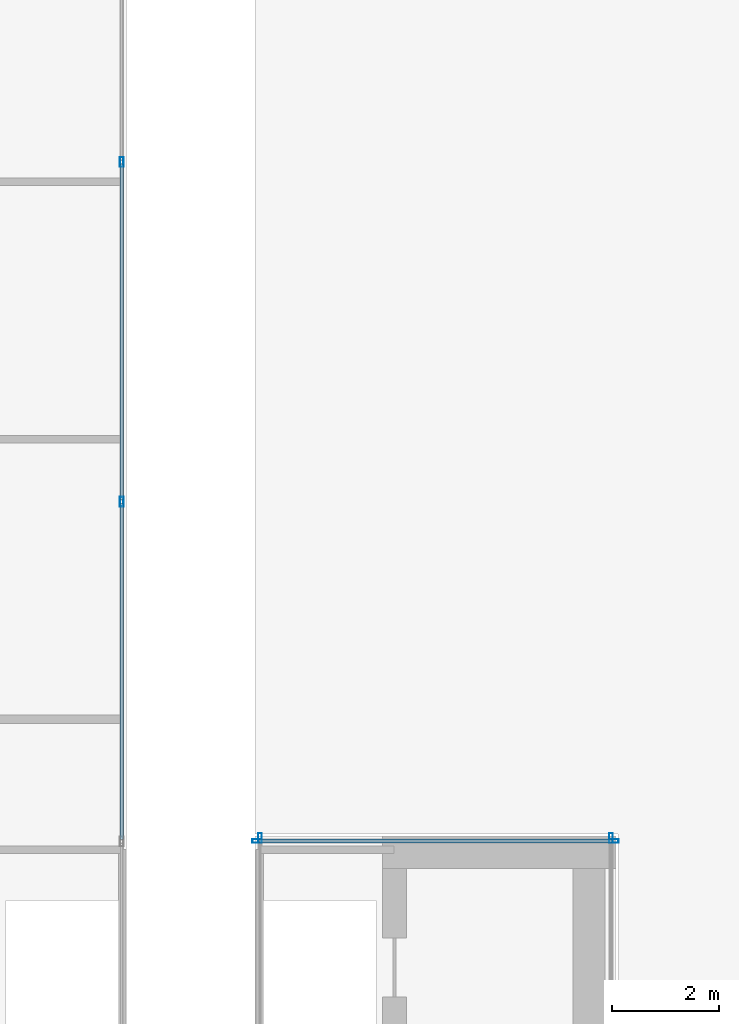
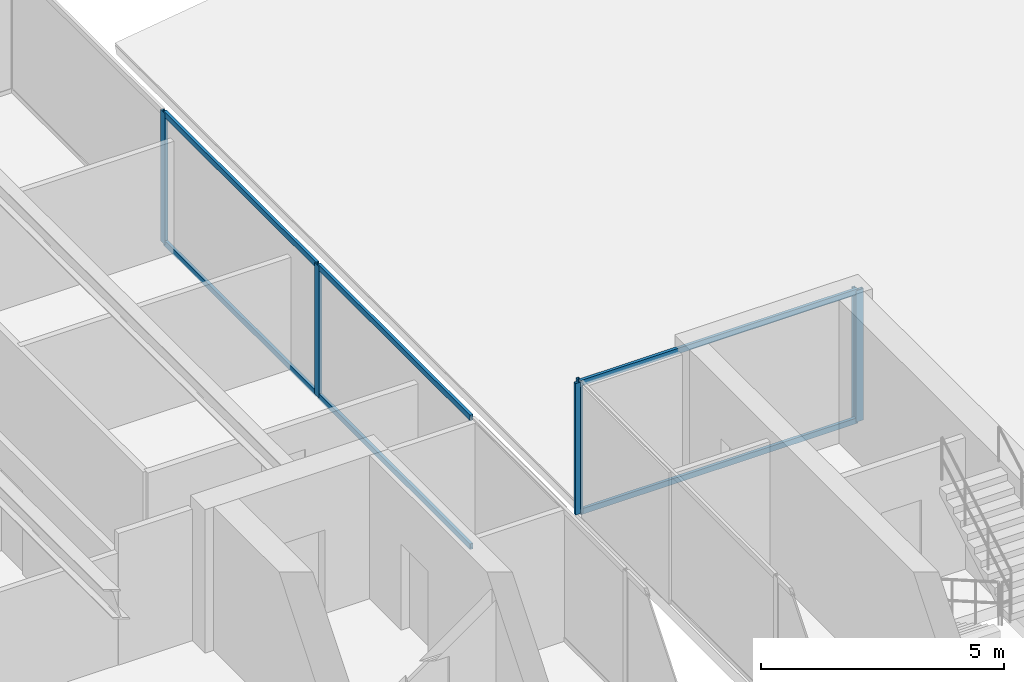
# One storey, part 11 of 16: 12 members, 4 elements without a shape of their own.
"""IFC4 building model written with IfcOpenShell, lengths in metres."""

from ifc_helpers import new_model, si_unit, direction, frame, origin, origin_2d, place, context, subcontext, project, spatial, hollow_rectangle, extrude, source, transform, mapped, material, material_profile, profile_set, type_object, type_shapes, element, aggregate, save


model = new_model("IFC4")

# Units and contexts
model_context = context("Model", 3, precision=1e-05, world=origin(), true_north=direction((0.0, 1.0)))
body_context = subcontext(model_context, "Body", "Model", "MODEL_VIEW")
ifc_project = project(units=[si_unit("LENGTHUNIT", "METRE"), si_unit("AREAUNIT", "SQUARE_METRE"), si_unit("VOLUMEUNIT", "CUBIC_METRE"), si_unit("PLANEANGLEUNIT", "RADIAN"), si_unit("MASSUNIT", "GRAM", prefix="KILO")], contexts=[model_context])

# Site, building, storey
site_placement = place(None, origin())
site = spatial("IfcSite", under=ifc_project, at=site_placement, CompositionType="ELEMENT")
building_placement = place(site_placement, origin())
building = spatial("IfcBuilding", under=site, at=building_placement, Name="Krantzveldt Concourse Tower", CompositionType="ELEMENT")
storey_placement = place(building_placement, frame((0.0, 0.0, 378.25)))
storey = spatial("IfcBuildingStorey", under=building, at=storey_placement, Name="L93", CompositionType="ELEMENT", Elevation=378.25)

# Curtain wall, members
ifc_material = material(Name="Anodised aluminium 6063-T6", Category="aluminium")
curtain_wall_type = type_object("IfcCurtainWallType", Name="CW7", PredefinedType="USERDEFINED", material=ifc_material)
curtain_wall_1_placement = place(storey_placement, origin())
curtain_wall_1 = element("IfcCurtainWall", 1, at=curtain_wall_1_placement, inside=storey, type_object=curtain_wall_type, Name="CW-L93-WEST-01", ObjectType="UNITISED CURTAIN WALL", PredefinedType="USERDEFINED")
ifc_material_profile_1 = material_profile(ifc_material, hollow_rectangle(XDim=0.070068359375, YDim=0.139892578125, WallThickness=0.0048828125, at=origin_2d()), Name="Anodised aluminium 6063-T6", Category="aluminium")
ifc_profile_set_1 = profile_set([ifc_material_profile_1], Name="Anodised aluminium 6063-T6 - ALU-TRAN 140x70x5")
member_type_1 = type_object("IfcMemberType", Name="CW-TRN-150", PredefinedType="USERDEFINED", material=ifc_profile_set_1)
shared_shape_1 = source(origin(), body_context, "Body", "SweptSolid", [
    extrude(hollow_rectangle(XDim=0.070068359375, YDim=0.139892578125, WallThickness=0.0048828125, at=origin_2d()), origin(), (0.0, 0.0, 1.0), 6.263427734375),
])
member_1_placement = place(storey_placement, frame((34.7099609375, 33.068359375, 0.034912109375), z_axis=(0.0, 1.0, 0.0), x_axis=(-1.0, 0.0, 0.0)))
member_1 = element("IfcMember", 2, at=member_1_placement, type_object=member_type_1, Name="CW-CRN transom 5.1", ObjectType="TRANSOM", PredefinedType="USERDEFINED", context=body_context, shape_type="MappedRepresentation", body=[
    mapped(shared_shape_1, transform((0.0, 0.0, 0.0), x_axis=(1.0, 0.0, 0.0), y_axis=(0.0, 1.0, 0.0), z_axis=(0.0, 0.0, 1.0), scale=1.0)),
])
member_2_placement = place(storey_placement, frame((34.7099609375, 33.068359375, 3.264892578125), z_axis=(0.0, 1.0, 0.0), x_axis=(-1.0, 0.0, 0.0)))
member_2 = element("IfcMember", 3, at=member_2_placement, type_object=member_type_1, Name="CW-CRN transom 5.2", ObjectType="TRANSOM", PredefinedType="USERDEFINED", context=body_context, shape_type="MappedRepresentation", body=[
    mapped(shared_shape_1, transform((0.0, 0.0, 0.0), x_axis=(1.0, 0.0, 0.0), y_axis=(0.0, 1.0, 0.0), z_axis=(0.0, 0.0, 1.0), scale=1.0)),
])
shared_shape_2 = source(origin(), body_context, "Body", "SweptSolid", [
    extrude(hollow_rectangle(XDim=0.070068359375, YDim=0.139892578125, WallThickness=0.0048828125, at=origin_2d()), origin(), (0.0, 0.0, 1.0), 6.26318359375),
])
member_3_placement = place(storey_placement, frame((34.7099609375, 26.735107421875, 0.034912109375), z_axis=(0.0, 1.0, 0.0), x_axis=(-1.0, 0.0, 0.0)))
member_3 = element("IfcMember", 4, at=member_3_placement, type_object=member_type_1, Name="CW-CRN transom 4.1", ObjectType="TRANSOM", PredefinedType="USERDEFINED", context=body_context, shape_type="MappedRepresentation", body=[
    mapped(shared_shape_2, transform((0.0, 0.0, 0.0), x_axis=(1.0, 0.0, 0.0), y_axis=(0.0, 1.0, 0.0), z_axis=(0.0, 0.0, 1.0), scale=1.0)),
])
member_4_placement = place(storey_placement, frame((34.7099609375, 26.735107421875, 3.264892578125), z_axis=(0.0, 1.0, 0.0), x_axis=(-1.0, 0.0, 0.0)))
member_4 = element("IfcMember", 5, at=member_4_placement, type_object=member_type_1, Name="CW-CRN transom 4.2", ObjectType="TRANSOM", PredefinedType="USERDEFINED", context=body_context, shape_type="MappedRepresentation", body=[
    mapped(shared_shape_2, transform((0.0, 0.0, 0.0), x_axis=(1.0, 0.0, 0.0), y_axis=(0.0, 1.0, 0.0), z_axis=(0.0, 0.0, 1.0), scale=1.0)),
])
ifc_material_profile_2 = material_profile(ifc_material, hollow_rectangle(XDim=0.070068359375, YDim=0.179931640625, WallThickness=0.0048828125, at=origin_2d()), Name="Anodised aluminium 6063-T6", Category="aluminium")
ifc_profile_set_2 = profile_set([ifc_material_profile_2], Name="Anodised aluminium 6063-T6 - ALU-MULL 180x70x5")
member_type_2 = type_object("IfcMemberType", Name="CW-MUL-180", PredefinedType="MULLION", material=ifc_profile_set_2)
shared_shape_3 = source(origin(), body_context, "Body", "SweptSolid", [
    extrude(hollow_rectangle(XDim=0.070068359375, YDim=0.179931640625, WallThickness=0.0048828125, at=origin_2d()), origin(), (0.0, 0.0, 1.0), 3.300048828125),
])
type_shapes(member_type_2, [shared_shape_3])
member_5_placement = place(storey_placement, frame((34.7099609375, 33.033447265625, 0.0), z_axis=(0.0, 0.0, 1.0), x_axis=(-1.0, 0.0, 0.0)))
member_5 = element("IfcMember", 6, at=member_5_placement, type_object=member_type_2, Name="CW-CRN mullion 5", PredefinedType="MULLION", context=body_context, shape_type="MappedRepresentation", body=[
    mapped(shared_shape_3, transform((0.0, 0.0, 0.0), x_axis=(1.0, 0.0, 0.0), y_axis=(0.0, 1.0, 0.0), z_axis=(0.0, 0.0, 1.0), scale=1.0)),
])
member_6_placement = place(storey_placement, frame((34.7099609375, 39.36669921875, 0.0), z_axis=(0.0, 0.0, 1.0), x_axis=(-1.0, 0.0, 0.0)))
member_6 = element("IfcMember", 7, at=member_6_placement, type_object=member_type_2, Name="CW-CRN mullion 6", PredefinedType="MULLION", context=body_context, shape_type="MappedRepresentation", body=[
    mapped(shared_shape_3, transform((0.0, 0.0, 0.0), x_axis=(1.0, 0.0, 0.0), y_axis=(0.0, 1.0, 0.0), z_axis=(0.0, 0.0, 1.0), scale=1.0)),
])
aggregate(curtain_wall_1, [member_5, member_6, member_3, member_4, member_1, member_2])

# Curtain wall, member
curtain_wall_2_placement = place(storey_placement, origin())
curtain_wall_2 = element("IfcCurtainWall", 8, at=curtain_wall_2_placement, inside=storey, type_object=curtain_wall_type, Name="CW-L93-EAST-01", ObjectType="UNITISED CURTAIN WALL", PredefinedType="USERDEFINED")
member_7_placement = place(storey_placement, frame((43.830078125, 26.764892578125, 0.0), z_axis=(0.0, 0.0, 1.0), x_axis=(-1.0, 0.0, 0.0)))
member_7 = element("IfcMember", 9, at=member_7_placement, type_object=member_type_2, Name="CW-CRN mullion 3", PredefinedType="MULLION", context=body_context, shape_type="MappedRepresentation", body=[
    mapped(shared_shape_3, transform((0.0, 0.0, 0.0), x_axis=(1.0, 0.0, 0.0), y_axis=(0.0, 1.0, 0.0), z_axis=(0.0, 0.0, 1.0), scale=1.0)),
])
aggregate(curtain_wall_2, [member_7])

# Curtain wall, members
curtain_wall_3_placement = place(storey_placement, origin())
curtain_wall_3 = element("IfcCurtainWall", 10, at=curtain_wall_3_placement, inside=storey, type_object=curtain_wall_type, Name="CW-L93-EAST-02", ObjectType="UNITISED CURTAIN WALL", PredefinedType="USERDEFINED")
member_8_placement = place(storey_placement, frame((43.885009765625, 26.7099609375, 0.0), z_axis=(0.0, 0.0, 1.0), x_axis=(0.0, -1.0, 0.0)))
member_8 = element("IfcMember", 11, at=member_8_placement, type_object=member_type_2, Name="CW-CRN mullion 1", PredefinedType="MULLION", context=body_context, shape_type="MappedRepresentation", body=[
    mapped(shared_shape_3, transform((0.0, 0.0, 0.0), x_axis=(1.0, 0.0, 0.0), y_axis=(0.0, 1.0, 0.0), z_axis=(0.0, 0.0, 1.0), scale=1.0)),
])
member_9_placement = place(storey_placement, frame((37.235107421875, 26.7099609375, 0.0), z_axis=(0.0, 0.0, 1.0), x_axis=(0.0, -1.0, 0.0)))
member_9 = element("IfcMember", 12, at=member_9_placement, type_object=member_type_2, Name="CW-CRN mullion 2", PredefinedType="MULLION", context=body_context, shape_type="MappedRepresentation", body=[
    mapped(shared_shape_3, transform((0.0, 0.0, 0.0), x_axis=(1.0, 0.0, 0.0), y_axis=(0.0, 1.0, 0.0), z_axis=(0.0, 0.0, 1.0), scale=1.0)),
])

# Curtain wall, member
curtain_wall_4_placement = place(storey_placement, origin())
curtain_wall_4 = element("IfcCurtainWall", 13, at=curtain_wall_4_placement, inside=storey, type_object=curtain_wall_type, Name="CW-L93-EAST-03", ObjectType="UNITISED CURTAIN WALL", PredefinedType="USERDEFINED")
member_10_placement = place(storey_placement, frame((37.2900390625, 26.764892578125, 0.0), z_axis=(0.0, 0.0, 1.0), x_axis=(1.0, 0.0, 0.0)))
member_10 = element("IfcMember", 14, at=member_10_placement, type_object=member_type_2, Name="CW-CRN mullion 1", PredefinedType="MULLION", context=body_context, shape_type="MappedRepresentation", body=[
    mapped(shared_shape_3, transform((0.0, 0.0, 0.0), x_axis=(1.0, 0.0, 0.0), y_axis=(0.0, 1.0, 0.0), z_axis=(0.0, 0.0, 1.0), scale=1.0)),
])
aggregate(curtain_wall_4, [member_10])

# Member
shared_shape_4 = source(origin(), body_context, "Body", "SweptSolid", [
    extrude(hollow_rectangle(XDim=0.070068359375, YDim=0.139892578125, WallThickness=0.0048828125, at=origin_2d()), origin(), (0.0, 0.0, 1.0), 6.580078125),
])
type_shapes(member_type_1, [shared_shape_1, shared_shape_2, shared_shape_4])
member_11_placement = place(storey_placement, frame((43.85009765625, 26.7099609375, 0.034912109375), z_axis=(-1.0, 0.0, 0.0), x_axis=(0.0, -1.0, 0.0)))
member_11 = element("IfcMember", 15, at=member_11_placement, type_object=member_type_1, Name="CW-CRN transom 1.1", ObjectType="TRANSOM", PredefinedType="USERDEFINED", context=body_context, shape_type="MappedRepresentation", body=[
    mapped(shared_shape_4, transform((0.0, 0.0, 0.0), x_axis=(1.0, 0.0, 0.0), y_axis=(0.0, 1.0, 0.0), z_axis=(0.0, 0.0, 1.0), scale=1.0)),
])

member_12_placement = place(storey_placement, frame((43.85009765625, 26.7099609375, 3.264892578125), z_axis=(-1.0, 0.0, 0.0), x_axis=(0.0, -1.0, 0.0)))
member_12 = element("IfcMember", 16, at=member_12_placement, type_object=member_type_1, Name="CW-CRN transom 1.2", ObjectType="TRANSOM", PredefinedType="USERDEFINED", context=body_context, shape_type="MappedRepresentation", body=[
    mapped(shared_shape_4, transform((0.0, 0.0, 0.0), x_axis=(1.0, 0.0, 0.0), y_axis=(0.0, 1.0, 0.0), z_axis=(0.0, 0.0, 1.0), scale=1.0)),
])

aggregate(curtain_wall_3, [member_8, member_9, member_11, member_12])

save(model, "model.ifc")
